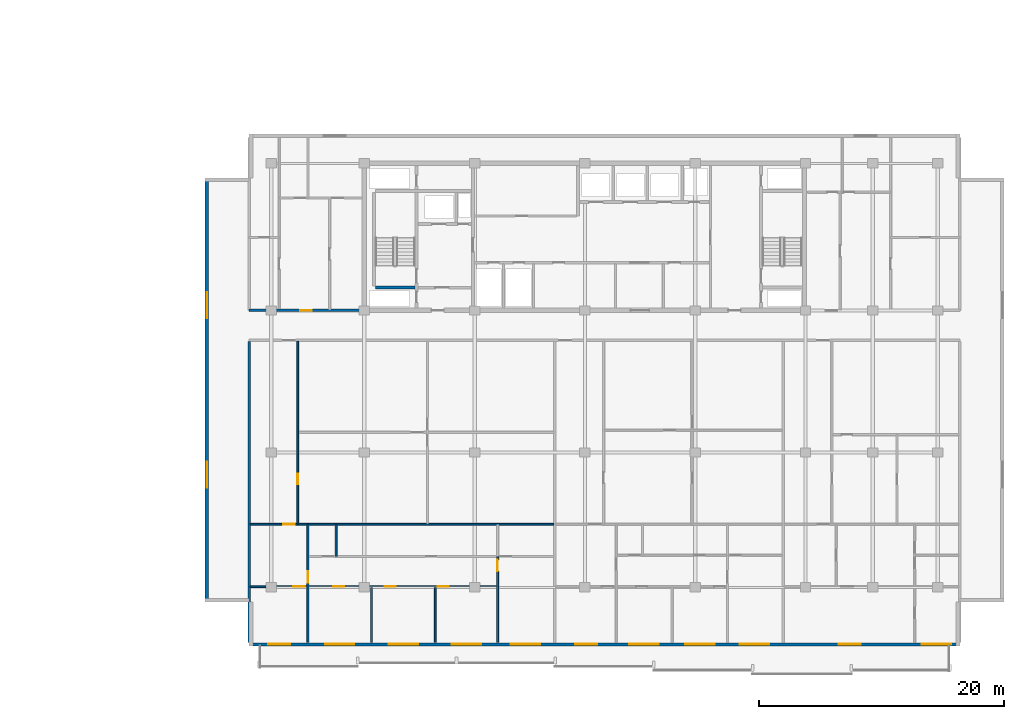
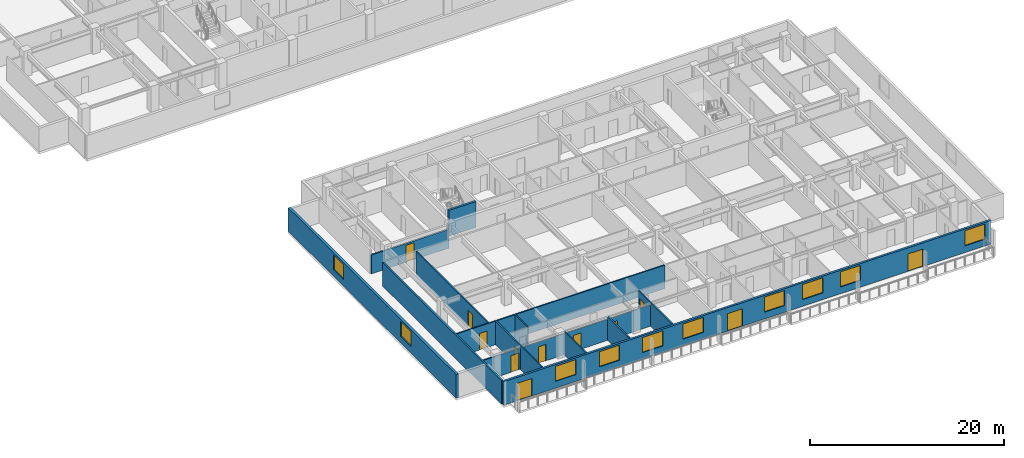
# One storey, part 4 of 22: 13 walls, 12 doors, 10 windows, 22 openings.
"""IFC4 building model written with IfcOpenShell, lengths in metres."""

from ifc_helpers import new_model, si_unit, direction, frame, frame_2d, origin, place, context, subcontext, project, spatial, rectangle, extrude, material, layer, layer_set, type_object, element, fill, save


model = new_model("IFC4")

# Units and contexts
model_context = context("Model", 3, precision=1e-05, world=origin(), true_north=direction((0.0, 1.0)))
body_context = subcontext(model_context, "Body", "Model", "MODEL_VIEW")
ifc_project = project(units=[si_unit("LENGTHUNIT", "METRE"), si_unit("AREAUNIT", "SQUARE_METRE"), si_unit("VOLUMEUNIT", "CUBIC_METRE"), si_unit("PLANEANGLEUNIT", "RADIAN"), si_unit("MASSUNIT", "GRAM", prefix="KILO")], contexts=[model_context])

# Site, building, storey
site_placement = place(None, origin())
site = spatial("IfcSite", under=ifc_project, at=site_placement, CompositionType="ELEMENT")
building_placement = place(site_placement, origin())
building = spatial("IfcBuilding", under=site, at=building_placement, Name="Korimba Cascade Residences", CompositionType="ELEMENT")
storey_placement = place(building_placement, frame((0.0, 0.0, 132.800048828125)))
storey = spatial("IfcBuildingStorey", under=building, at=storey_placement, Name="L38", CompositionType="ELEMENT", Elevation=132.800048828125)

# Wall, openings, doors, windows
ifc_material_1 = material(Name="Precast concrete C40/50", Category="concrete")
ifc_layer_1 = layer(ifc_material_1, 0.25)
ifc_layer_set_1 = layer_set([ifc_layer_1], Name="Precast concrete C40/50")
wall_type_1 = type_object("IfcWallType", Name="EW-LOG-250", PredefinedType="STANDARD", material=ifc_layer_set_1)
wall_1_placement = place(storey_placement, frame((72.699951171875, -8.85009765625, 0.0), z_axis=(0.0, 0.0, 1.0), x_axis=(1.0, 0.0, 0.0)))
wall_1 = element("IfcWall", 1, at=wall_1_placement, inside=storey, type_object=wall_type_1, Name="L38 T2 Perimeter Stone Wall E00", PredefinedType="STANDARD", context=body_context, shape_type="SweptSolid", body=[
    extrude(rectangle(XDim=58.0, YDim=0.25, at=frame_2d((29.0, 0.0))), origin(), (0.0, 0.0, 1.0), 2.969970703125),
])
opening_1_placement = place(wall_1_placement, frame((6.18994140625, 0.0, 0.85009765625)))
opening_1 = element("IfcOpeningElement", 2, at=opening_1_placement, cuts=wall_1, Name="Opening W-01", PredefinedType="OPENING", context=body_context, shape_type="SweptSolid", body=[
    extrude(rectangle(XDim=2.39990234375, YDim=1.89990234375, at=frame_2d((1.199951171875, 0.949951171875))), frame((0.0, 0.135009765625, 0.0), z_axis=(0.0, -1.0, 0.0), x_axis=(1.0, 0.0, 0.0)), (0.0, 0.0, 1.0), 0.27001953125),
])
opening_2_placement = place(wall_1_placement, frame((11.389892578125, 0.0, 0.85009765625)))
opening_2 = element("IfcOpeningElement", 3, at=opening_2_placement, cuts=wall_1, Name="Opening W-01", PredefinedType="OPENING", context=body_context, shape_type="SweptSolid", body=[
    extrude(rectangle(XDim=2.39990234375, YDim=1.89990234375, at=frame_2d((1.199951171875, 0.949951171875))), frame((0.0, 0.135009765625, 0.0), z_axis=(0.0, -1.0, 0.0), x_axis=(1.0, 0.0, 0.0)), (0.0, 0.0, 1.0), 0.27001953125),
])
opening_3_placement = place(wall_1_placement, frame((16.534912109375, 0.0, 0.85009765625)))
opening_3 = element("IfcOpeningElement", 4, at=opening_3_placement, cuts=wall_1, Name="Opening W-01", PredefinedType="OPENING", context=body_context, shape_type="SweptSolid", body=[
    extrude(rectangle(XDim=2.39990234375, YDim=1.89990234375, at=frame_2d((1.199951171875, 0.949951171875))), frame((0.0, 0.135009765625, 0.0), z_axis=(0.0, -1.0, 0.0), x_axis=(1.0, 0.0, 0.0)), (0.0, 0.0, 1.0), 0.27001953125),
])
opening_4_placement = place(wall_1_placement, frame((1.554931640625, 0.0, 0.0)))
opening_4 = element("IfcOpeningElement", 5, at=opening_4_placement, cuts=wall_1, Name="Opening D-LG1", PredefinedType="OPENING", context=body_context, shape_type="SweptSolid", body=[
    extrude(rectangle(XDim=1.800048828125, YDim=2.199951171875, at=frame_2d((0.89990234375, 1.10009765625))), frame((0.0, 0.135009765625, 0.0), z_axis=(0.0, -1.0, 0.0), x_axis=(1.0, 0.0, 0.0)), (0.0, 0.0, 1.0), 0.27001953125),
])
opening_5_placement = place(wall_1_placement, frame((21.357177734375, 0.0, 0.85009765625)))
opening_5 = element("IfcOpeningElement", 6, at=opening_5_placement, cuts=wall_1, Name="Opening W-01", PredefinedType="OPENING", context=body_context, shape_type="SweptSolid", body=[
    extrude(rectangle(XDim=2.39990234375, YDim=1.89990234375, at=frame_2d((1.199951171875, 0.949951171875))), frame((0.0, 0.135009765625, 0.0), z_axis=(0.0, -1.0, 0.0), x_axis=(1.0, 0.0, 0.0)), (0.0, 0.0, 1.0), 0.27001953125),
])
opening_6_placement = place(wall_1_placement, frame((31.037353515625, 0.0, 0.85009765625)))
opening_6 = element("IfcOpeningElement", 7, at=opening_6_placement, cuts=wall_1, Name="Opening W-01", PredefinedType="OPENING", context=body_context, shape_type="SweptSolid", body=[
    extrude(rectangle(XDim=2.39990234375, YDim=1.89990234375, at=frame_2d((1.199951171875, 0.949951171875))), frame((0.0, 0.135009765625, 0.0), z_axis=(0.0, -1.0, 0.0), x_axis=(1.0, 0.0, 0.0)), (0.0, 0.0, 1.0), 0.27001953125),
])
opening_7_placement = place(wall_1_placement, frame((35.578125, 0.0, 0.85009765625)))
opening_7 = element("IfcOpeningElement", 8, at=opening_7_placement, cuts=wall_1, Name="Opening W-01", PredefinedType="OPENING", context=body_context, shape_type="SweptSolid", body=[
    extrude(rectangle(XDim=2.39990234375, YDim=1.89990234375, at=frame_2d((1.199951171875, 0.949951171875))), frame((0.0, 0.135009765625, 0.0), z_axis=(0.0, -1.0, 0.0), x_axis=(1.0, 0.0, 0.0)), (0.0, 0.0, 1.0), 0.27001953125),
])
opening_8_placement = place(wall_1_placement, frame((26.614501953125, 0.0, 0.0)))
opening_8 = element("IfcOpeningElement", 9, at=opening_8_placement, cuts=wall_1, Name="Opening D-LG1", PredefinedType="OPENING", context=body_context, shape_type="SweptSolid", body=[
    extrude(rectangle(XDim=1.800048828125, YDim=2.199951171875, at=frame_2d((0.89990234375, 1.10009765625))), frame((0.0, 0.135009765625, 0.0), z_axis=(0.0, -1.0, 0.0), x_axis=(1.0, 0.0, 0.0)), (0.0, 0.0, 1.0), 0.27001953125),
])
opening_9_placement = place(wall_1_placement, frame((40.05126953125, 0.0, 0.85009765625)))
opening_9 = element("IfcOpeningElement", 10, at=opening_9_placement, cuts=wall_1, Name="Opening W-01", PredefinedType="OPENING", context=body_context, shape_type="SweptSolid", body=[
    extrude(rectangle(XDim=2.39990234375, YDim=1.89990234375, at=frame_2d((1.199951171875, 0.949951171875))), frame((0.0, 0.135009765625, 0.0), z_axis=(0.0, -1.0, 0.0), x_axis=(1.0, 0.0, 0.0)), (0.0, 0.0, 1.0), 0.27001953125),
])
opening_10_placement = place(wall_1_placement, frame((48.113037109375, 0.0, 0.0)))
opening_10 = element("IfcOpeningElement", 11, at=opening_10_placement, cuts=wall_1, Name="Opening D-LG1", PredefinedType="OPENING", context=body_context, shape_type="SweptSolid", body=[
    extrude(rectangle(XDim=1.800048828125, YDim=2.199951171875, at=frame_2d((0.89990234375, 1.10009765625))), frame((0.0, 0.135009765625, 0.0), z_axis=(0.0, -1.0, 0.0), x_axis=(1.0, 0.0, 0.0)), (0.0, 0.0, 1.0), 0.27001953125),
])
opening_11_placement = place(wall_1_placement, frame((54.89990234375, 0.0, 0.85009765625)))
opening_11 = element("IfcOpeningElement", 12, at=opening_11_placement, cuts=wall_1, Name="Opening W-01", PredefinedType="OPENING", context=body_context, shape_type="SweptSolid", body=[
    extrude(rectangle(XDim=2.39990234375, YDim=1.89990234375, at=frame_2d((1.199951171875, 0.949951171875))), frame((0.0, 0.135009765625, 0.0), z_axis=(0.0, -1.0, 0.0), x_axis=(1.0, 0.0, 0.0)), (0.0, 0.0, 1.0), 0.27001953125),
])
ifc_material_2 = material(Name="Glazed Aluminium Loggia Sliding Door", Category="aluminium")
door_type_1 = type_object("IfcDoorType", Name="DR-EXT-LOG", OperationType="NOTDEFINED", PredefinedType="DOOR", material=ifc_material_2)
door_1_placement = place(opening_4_placement, origin())
door_1 = element("IfcDoor", 13, at=door_1_placement, inside=storey, type_object=door_type_1, Name="L38 T2 Loggia Sliding Door 6", OperationType="SLIDING_TO_RIGHT", OverallHeight=2.199951171875, OverallWidth=1.800048828125, PredefinedType="DOOR", context=body_context, shape_type="SweptSolid", body=[
    extrude(rectangle(XDim=1.800048828125, YDim=2.199951171875, at=frame_2d((0.89990234375, 1.10009765625))), frame((0.0, 0.02490234375, 0.0), z_axis=(0.0, -1.0, 0.0), x_axis=(1.0, 0.0, 0.0)), (0.0, 0.0, 1.0), 0.050048828125),
])
fill(opening_4, door_1)
door_2_placement = place(opening_8_placement, origin())
door_2 = element("IfcDoor", 14, at=door_2_placement, inside=storey, type_object=door_type_1, Name="L38 T2 Loggia Sliding Door 10", OperationType="SLIDING_TO_RIGHT", OverallHeight=2.199951171875, OverallWidth=1.800048828125, PredefinedType="DOOR", context=body_context, shape_type="SweptSolid", body=[
    extrude(rectangle(XDim=1.800048828125, YDim=2.199951171875, at=frame_2d((0.89990234375, 1.10009765625))), frame((0.0, 0.02490234375, 0.0), z_axis=(0.0, -1.0, 0.0), x_axis=(1.0, 0.0, 0.0)), (0.0, 0.0, 1.0), 0.050048828125),
])
fill(opening_8, door_2)
door_3_placement = place(opening_10_placement, origin())
door_3 = element("IfcDoor", 15, at=door_3_placement, inside=storey, type_object=door_type_1, Name="L38 T2 Loggia Sliding Door 12", OperationType="SLIDING_TO_RIGHT", OverallHeight=2.199951171875, OverallWidth=1.800048828125, PredefinedType="DOOR", context=body_context, shape_type="SweptSolid", body=[
    extrude(rectangle(XDim=1.800048828125, YDim=2.199951171875, at=frame_2d((0.89990234375, 1.10009765625))), frame((0.0, 0.02490234375, 0.0), z_axis=(0.0, -1.0, 0.0), x_axis=(1.0, 0.0, 0.0)), (0.0, 0.0, 1.0), 0.050048828125),
])
fill(opening_10, door_3)
ifc_material_3 = material(Name="Double-Glazed Aluminium Window", Category="aluminium")
window_type_1 = type_object("IfcWindowType", Name="WIN-RES-2400", PartitioningType="DOUBLE_PANEL_VERTICAL", PredefinedType="WINDOW", material=ifc_material_3)
window_1_placement = place(opening_1_placement, origin())
window_1 = element("IfcWindow", 16, at=window_1_placement, inside=storey, type_object=window_type_1, Name="L38 T2 South Facade Window 3", OverallHeight=1.89990234375, OverallWidth=2.39990234375, PartitioningType="DOUBLE_PANEL_VERTICAL", PredefinedType="WINDOW", context=body_context, shape_type="SweptSolid", body=[
    extrude(rectangle(XDim=2.39990234375, YDim=1.89990234375, at=frame_2d((1.199951171875, 0.949951171875))), frame((0.0, 0.030029296875, 0.0), z_axis=(0.0, -1.0, 0.0), x_axis=(1.0, 0.0, 0.0)), (0.0, 0.0, 1.0), 0.06005859375),
])
fill(opening_1, window_1)
window_2_placement = place(opening_2_placement, origin())
window_2 = element("IfcWindow", 17, at=window_2_placement, inside=storey, type_object=window_type_1, Name="L38 T2 South Facade Window 4", OverallHeight=1.89990234375, OverallWidth=2.39990234375, PartitioningType="DOUBLE_PANEL_VERTICAL", PredefinedType="WINDOW", context=body_context, shape_type="SweptSolid", body=[
    extrude(rectangle(XDim=2.39990234375, YDim=1.89990234375, at=frame_2d((1.199951171875, 0.949951171875))), frame((0.0, 0.030029296875, 0.0), z_axis=(0.0, -1.0, 0.0), x_axis=(1.0, 0.0, 0.0)), (0.0, 0.0, 1.0), 0.06005859375),
])
fill(opening_2, window_2)
window_3_placement = place(opening_3_placement, origin())
window_3 = element("IfcWindow", 18, at=window_3_placement, inside=storey, type_object=window_type_1, Name="L38 T2 South Facade Window 5", OverallHeight=1.89990234375, OverallWidth=2.39990234375, PartitioningType="DOUBLE_PANEL_VERTICAL", PredefinedType="WINDOW", context=body_context, shape_type="SweptSolid", body=[
    extrude(rectangle(XDim=2.39990234375, YDim=1.89990234375, at=frame_2d((1.199951171875, 0.949951171875))), frame((0.0, 0.030029296875, 0.0), z_axis=(0.0, -1.0, 0.0), x_axis=(1.0, 0.0, 0.0)), (0.0, 0.0, 1.0), 0.06005859375),
])
fill(opening_3, window_3)
window_4_placement = place(opening_5_placement, origin())
window_4 = element("IfcWindow", 19, at=window_4_placement, inside=storey, type_object=window_type_1, Name="L38 T2 South Facade Window 7", OverallHeight=1.89990234375, OverallWidth=2.39990234375, PartitioningType="DOUBLE_PANEL_VERTICAL", PredefinedType="WINDOW", context=body_context, shape_type="SweptSolid", body=[
    extrude(rectangle(XDim=2.39990234375, YDim=1.89990234375, at=frame_2d((1.199951171875, 0.949951171875))), frame((0.0, 0.030029296875, 0.0), z_axis=(0.0, -1.0, 0.0), x_axis=(1.0, 0.0, 0.0)), (0.0, 0.0, 1.0), 0.06005859375),
])
fill(opening_5, window_4)
window_5_placement = place(opening_6_placement, origin())
window_5 = element("IfcWindow", 20, at=window_5_placement, inside=storey, type_object=window_type_1, Name="L38 T2 South Facade Window 8", OverallHeight=1.89990234375, OverallWidth=2.39990234375, PartitioningType="DOUBLE_PANEL_VERTICAL", PredefinedType="WINDOW", context=body_context, shape_type="SweptSolid", body=[
    extrude(rectangle(XDim=2.39990234375, YDim=1.89990234375, at=frame_2d((1.199951171875, 0.949951171875))), frame((0.0, 0.030029296875, 0.0), z_axis=(0.0, -1.0, 0.0), x_axis=(1.0, 0.0, 0.0)), (0.0, 0.0, 1.0), 0.06005859375),
])
fill(opening_6, window_5)
window_6_placement = place(opening_7_placement, origin())
window_6 = element("IfcWindow", 21, at=window_6_placement, inside=storey, type_object=window_type_1, Name="L38 T2 South Facade Window 9", OverallHeight=1.89990234375, OverallWidth=2.39990234375, PartitioningType="DOUBLE_PANEL_VERTICAL", PredefinedType="WINDOW", context=body_context, shape_type="SweptSolid", body=[
    extrude(rectangle(XDim=2.39990234375, YDim=1.89990234375, at=frame_2d((1.199951171875, 0.949951171875))), frame((0.0, 0.030029296875, 0.0), z_axis=(0.0, -1.0, 0.0), x_axis=(1.0, 0.0, 0.0)), (0.0, 0.0, 1.0), 0.06005859375),
])
fill(opening_7, window_6)
window_7_placement = place(opening_9_placement, origin())
window_7 = element("IfcWindow", 22, at=window_7_placement, inside=storey, type_object=window_type_1, Name="L38 T2 South Facade Window 11", OverallHeight=1.89990234375, OverallWidth=2.39990234375, PartitioningType="DOUBLE_PANEL_VERTICAL", PredefinedType="WINDOW", context=body_context, shape_type="SweptSolid", body=[
    extrude(rectangle(XDim=2.39990234375, YDim=1.89990234375, at=frame_2d((1.199951171875, 0.949951171875))), frame((0.0, 0.030029296875, 0.0), z_axis=(0.0, -1.0, 0.0), x_axis=(1.0, 0.0, 0.0)), (0.0, 0.0, 1.0), 0.06005859375),
])
fill(opening_9, window_7)
window_8_placement = place(opening_11_placement, origin())
window_8 = element("IfcWindow", 23, at=window_8_placement, inside=storey, type_object=window_type_1, Name="L38 T2 South Facade Window 13", OverallHeight=1.89990234375, OverallWidth=2.39990234375, PartitioningType="DOUBLE_PANEL_VERTICAL", PredefinedType="WINDOW", context=body_context, shape_type="SweptSolid", body=[
    extrude(rectangle(XDim=2.39990234375, YDim=1.89990234375, at=frame_2d((1.199951171875, 0.949951171875))), frame((0.0, 0.030029296875, 0.0), z_axis=(0.0, -1.0, 0.0), x_axis=(1.0, 0.0, 0.0)), (0.0, 0.0, 1.0), 0.06005859375),
])
fill(opening_11, window_8)

# Wall, openings, windows
ifc_layer_2 = layer(ifc_material_1, 0.300048828125)
ifc_layer_set_2 = layer_set([ifc_layer_2], Name="Precast concrete C40/50")
wall_type_2 = type_object("IfcWallType", Name="EW-STONE-300", PredefinedType="STANDARD", material=ifc_layer_set_2)
wall_2_placement = place(storey_placement, frame((69.25, 29.199951171875, 0.0), z_axis=(0.0, 0.0, 1.0), x_axis=(0.0, -1.0, 0.0)))
wall_2 = element("IfcWall", 24, at=wall_2_placement, inside=storey, type_object=wall_type_2, Name="L38 T2 Perimeter Stone Wall E09", PredefinedType="STANDARD", context=body_context, shape_type="SweptSolid", body=[
    extrude(rectangle(XDim=34.599853515625, YDim=0.300048828125, at=frame_2d((17.2998046875, 0.0))), origin(), (0.0, 0.0, 1.0), 2.969970703125),
])
opening_12_placement = place(wall_2_placement, frame((9.330078125, 0.0, 0.85009765625)))
opening_12 = element("IfcOpeningElement", 25, at=opening_12_placement, cuts=wall_2, Name="Opening W-03", PredefinedType="OPENING", context=body_context, shape_type="SweptSolid", body=[
    extrude(rectangle(XDim=2.10009765625, YDim=1.85009765625, at=frame_2d((1.050048828125, 0.925048828125))), frame((0.0, 0.16015625, 0.0), z_axis=(0.0, -1.0, 0.0), x_axis=(1.0, 0.0, 0.0)), (0.0, 0.0, 1.0), 0.320068359375),
])
opening_13_placement = place(wall_2_placement, frame((23.169921875, 0.0, 0.85009765625)))
opening_13 = element("IfcOpeningElement", 26, at=opening_13_placement, cuts=wall_2, Name="Opening W-03", PredefinedType="OPENING", context=body_context, shape_type="SweptSolid", body=[
    extrude(rectangle(XDim=2.10009765625, YDim=1.85009765625, at=frame_2d((1.050048828125, 0.925048828125))), frame((0.0, 0.16015625, 0.0), z_axis=(0.0, -1.0, 0.0), x_axis=(1.0, 0.0, 0.0)), (0.0, 0.0, 1.0), 0.320068359375),
])
window_type_2 = type_object("IfcWindowType", Name="WIN-CRN-2100", PartitioningType="DOUBLE_PANEL_HORIZONTAL", PredefinedType="WINDOW", material=ifc_material_3)
window_9_placement = place(opening_12_placement, origin())
window_9 = element("IfcWindow", 27, at=window_9_placement, inside=storey, type_object=window_type_2, Name="L38 T2 End View Window 9.1", OverallHeight=1.85009765625, OverallWidth=2.10009765625, PartitioningType="DOUBLE_PANEL_HORIZONTAL", PredefinedType="WINDOW", context=body_context, shape_type="SweptSolid", body=[
    extrude(rectangle(XDim=2.10009765625, YDim=1.85009765625, at=frame_2d((1.050048828125, 0.925048828125))), frame((0.0, 0.030029296875, 0.0), z_axis=(0.0, -1.0, 0.0), x_axis=(1.0, 0.0, 0.0)), (0.0, 0.0, 1.0), 0.06005859375),
])
fill(opening_12, window_9)
window_10_placement = place(opening_13_placement, origin())
window_10 = element("IfcWindow", 28, at=window_10_placement, inside=storey, type_object=window_type_2, Name="L38 T2 End View Window 9.2", OverallHeight=1.85009765625, OverallWidth=2.10009765625, PartitioningType="DOUBLE_PANEL_HORIZONTAL", PredefinedType="WINDOW", context=body_context, shape_type="SweptSolid", body=[
    extrude(rectangle(XDim=2.10009765625, YDim=1.85009765625, at=frame_2d((1.050048828125, 0.925048828125))), frame((0.0, 0.030029296875, 0.0), z_axis=(0.0, -1.0, 0.0), x_axis=(1.0, 0.0, 0.0)), (0.0, 0.0, 1.0), 0.06005859375),
])
fill(opening_13, window_10)

# Wall, opening, door
ifc_layer_3 = layer(ifc_material_1, 0.199951171875)
ifc_layer_set_3 = layer_set([ifc_layer_3], Name="Precast concrete C40/50")
wall_type_3 = type_object("IfcWallType", Name="WAL-IT-200", PredefinedType="PARTITIONING", material=ifc_layer_set_3)
wall_3_placement = place(storey_placement, frame((72.699951171875, 18.39990234375, 0.0), z_axis=(0.0, 0.0, 1.0), x_axis=(1.0, 0.0, 0.0)))
wall_3 = element("IfcWall", 29, at=wall_3_placement, inside=storey, type_object=wall_type_3, Name="L38 Partition Wall WAL-L38-T2-FW-S", PredefinedType="PARTITIONING", context=body_context, shape_type="SweptSolid", body=[
    extrude(rectangle(XDim=9.25, YDim=0.199951171875, at=frame_2d((4.625, 0.0))), origin(), (0.0, 0.0, 1.0), 2.357666015625),
])
opening_14_placement = place(wall_3_placement, frame((4.14990234375, 0.0, 0.0)))
opening_14 = element("IfcOpeningElement", 30, at=opening_14_placement, cuts=wall_3, Name="Opening D-UN1", PredefinedType="OPENING", context=body_context, shape_type="SweptSolid", body=[
    extrude(rectangle(XDim=0.949951171875, YDim=2.14990234375, at=frame_2d((0.47509765625, 1.074951171875))), frame((0.0, 0.10986328125, 0.0), z_axis=(0.0, -1.0, 0.0), x_axis=(1.0, 0.0, 0.0)), (0.0, 0.0, 1.0), 0.219970703125),
])
ifc_material_4 = material(Name="Fire-Rated Hardwood Apartment Entrance Door", Category="wood")
door_type_2 = type_object("IfcDoorType", Name="DR-FD60-950", OperationType="NOTDEFINED", PredefinedType="DOOR", material=ifc_material_4)
door_4_placement = place(opening_14_placement, origin())
door_4 = element("IfcDoor", 31, at=door_4_placement, inside=storey, type_object=door_type_2, Name="L38-T2-FW Entrance Door", OperationType="SINGLE_SWING_LEFT", OverallHeight=2.14990234375, OverallWidth=0.949951171875, PredefinedType="DOOR", context=body_context, shape_type="SweptSolid", body=[
    extrude(rectangle(XDim=0.949951171875, YDim=2.14990234375, at=frame_2d((0.47509765625, 1.074951171875))), frame((0.0, 0.02490234375, 0.0), z_axis=(0.0, -1.0, 0.0), x_axis=(1.0, 0.0, 0.0)), (0.0, 0.0, 1.0), 0.050048828125),
])
fill(opening_14, door_4)

# Wall
wall_4_placement = place(storey_placement, frame((72.699951171875, -8.699951171875, 0.0), z_axis=(0.0, 0.0, 1.0), x_axis=(0.0, 1.0, 0.0)))
element("IfcWall", 32, at=wall_4_placement, inside=storey, type_object=wall_type_3, Name="L38 Partition Wall WAL-L38-T2-BNDWL", PredefinedType="PARTITIONING", context=body_context, shape_type="SweptSolid", body=[
    extrude(rectangle(XDim=24.570068359375, YDim=0.199951171875, at=frame_2d((12.28515625, 0.0))), origin(), (0.0, 0.0, 1.0), 2.969970703125),
])

# Wall, opening, door
ifc_material_5 = material(Name="Insulated Acoustic Stud Partition", Category="gypsum")
ifc_layer_4 = layer(ifc_material_5, 0.14990234375)
ifc_layer_set_4 = layer_set([ifc_layer_4], Name="Insulated Acoustic Stud Partition")
wall_type_4 = type_object("IfcWallType", Name="WAL-PART-150", PredefinedType="PARTITIONING", material=ifc_layer_set_4)
wall_5_placement = place(storey_placement, frame((76.669921875, 0.989990234375, 0.0), z_axis=(0.0, 0.0, 1.0), x_axis=(0.0, 1.0, 0.0)))
wall_5 = element("IfcWall", 33, at=wall_5_placement, inside=storey, type_object=wall_type_4, Name="L38 Partition Wall WAL-L38-T2-U01-FV", PredefinedType="PARTITIONING", context=body_context, shape_type="SweptSolid", body=[
    extrude(rectangle(XDim=14.89990234375, YDim=0.14990234375, at=frame_2d((7.449951171875, 0.0))), origin(), (0.0, 0.0, 1.0), 2.969970703125),
])
opening_15_placement = place(wall_5_placement, frame((3.215576171875, 0.0, 0.0)))
opening_15 = element("IfcOpeningElement", 34, at=opening_15_placement, cuts=wall_5, Name="Opening D-IN2", PredefinedType="OPENING", context=body_context, shape_type="SweptSolid", body=[
    extrude(rectangle(XDim=0.8798828125, YDim=2.06005859375, at=frame_2d((0.43994140625, 1.030029296875))), frame((0.0, 0.0849609375, 0.0), z_axis=(0.0, -1.0, 0.0), x_axis=(1.0, 0.0, 0.0)), (0.0, 0.0, 1.0), 0.169921875),
])
ifc_material_6 = material(Name="Acoustic Timber Bedroom Door", Category="wood")
door_type_3 = type_object("IfcDoorType", Name="DR-INT-880", OperationType="NOTDEFINED", PredefinedType="DOOR", material=ifc_material_6)
door_5_placement = place(opening_15_placement, origin())
door_5 = element("IfcDoor", 35, at=door_5_placement, inside=storey, type_object=door_type_3, Name="L38-T2-U01 Media Lounge Door", OperationType="SINGLE_SWING_LEFT", OverallHeight=2.06005859375, OverallWidth=0.8798828125, PredefinedType="DOOR", context=body_context, shape_type="SweptSolid", body=[
    extrude(rectangle(XDim=0.8798828125, YDim=2.06005859375, at=frame_2d((0.43994140625, 1.030029296875))), frame((0.0, 0.02490234375, 0.0), z_axis=(0.0, -1.0, 0.0), x_axis=(1.0, 0.0, 0.0)), (0.0, 0.0, 1.0), 0.050048828125),
])
fill(opening_15, door_5)

# Walls
wall_6_placement = place(storey_placement, frame((79.800048828125, -1.669921875, 0.0), z_axis=(0.0, 0.0, 1.0), x_axis=(0.0, 1.0, 0.0)))
element("IfcWall", 36, at=wall_6_placement, inside=storey, type_object=wall_type_4, Name="L38 Partition Wall WAL-L38-T2-U01-VDRS", PredefinedType="PARTITIONING", context=body_context, shape_type="SweptSolid", body=[
    extrude(rectangle(XDim=2.579833984375, YDim=0.14990234375, at=frame_2d((1.2900390625, 0.0))), origin(), (0.0, 0.0, 1.0), 2.969970703125),
])
for number, where, z_axis, x_axis, name in (
    (37, (82.68994140625, -8.699951171875, 0.0), (0.0, 0.0, 1.0), (0.0, 1.0, 0.0), "L38 Partition Wall WAL-L38-T2-U01-VB2"),
    (38, (87.889892578125, -8.699951171875, 0.0), (0.0, 0.0, 1.0), (0.0, 1.0, 0.0), "L38 Partition Wall WAL-L38-T2-U01-VB3"),
):
    element("IfcWall", number, at=place(storey_placement, frame(where, z_axis=z_axis, x_axis=x_axis)), inside=storey, type_object=wall_type_4, Name=name, PredefinedType="PARTITIONING", context=body_context, shape_type="SweptSolid", body=[
        extrude(rectangle(XDim=4.469970703125, YDim=0.14990234375, at=frame_2d((2.23486328125, 0.0))), origin(), (0.0, 0.0, 1.0), 2.969970703125),
    ])

# Wall, opening, door
wall_7_placement = place(storey_placement, frame((77.489990234375, -8.699951171875, 0.0), z_axis=(0.0, 0.0, 1.0), x_axis=(0.0, 1.0, 0.0)))
wall_7 = element("IfcWall", 39, at=wall_7_placement, inside=storey, type_object=wall_type_4, Name="L38 Partition Wall WAL-L38-T2-U01-V1", PredefinedType="PARTITIONING", context=body_context, shape_type="SweptSolid", body=[
    extrude(rectangle(XDim=9.60986328125, YDim=0.14990234375, at=frame_2d((4.804931640625, 0.0))), origin(), (0.0, 0.0, 1.0), 2.969970703125),
])
opening_16_placement = place(wall_7_placement, frame((4.8701171875, 0.0, 0.0)))
opening_16 = element("IfcOpeningElement", 40, at=opening_16_placement, cuts=wall_7, Name="Opening D-IN1", PredefinedType="OPENING", context=body_context, shape_type="SweptSolid", body=[
    extrude(rectangle(XDim=0.919921875, YDim=2.080078125, at=frame_2d((0.4599609375, 1.0400390625))), frame((0.0, 0.0849609375, 0.0), z_axis=(0.0, -1.0, 0.0), x_axis=(1.0, 0.0, 0.0)), (0.0, 0.0, 1.0), 0.169921875),
])
ifc_material_7 = material(Name="Acoustic Timber Living Door", Category="wood")
door_type_4 = type_object("IfcDoorType", Name="DR-INT-920", OperationType="NOTDEFINED", PredefinedType="DOOR", material=ifc_material_7)
door_6_placement = place(opening_16_placement, origin())
door_6 = element("IfcDoor", 41, at=door_6_placement, inside=storey, type_object=door_type_4, Name="L38-T2-U01 Hallway Door", OperationType="SINGLE_SWING_RIGHT", OverallHeight=2.080078125, OverallWidth=0.919921875, PredefinedType="DOOR", context=body_context, shape_type="SweptSolid", body=[
    extrude(rectangle(XDim=0.919921875, YDim=2.080078125, at=frame_2d((0.4599609375, 1.0400390625))), frame((0.0, 0.02490234375, 0.0), z_axis=(0.0, -1.0, 0.0), x_axis=(1.0, 0.0, 0.0)), (0.0, 0.0, 1.0), 0.050048828125),
])
fill(opening_16, door_6)

wall_8_placement = place(storey_placement, frame((92.97998046875, -8.699951171875, 0.0), z_axis=(0.0, 0.0, 1.0), x_axis=(0.0, 1.0, 0.0)))
wall_8 = element("IfcWall", 42, at=wall_8_placement, inside=storey, type_object=wall_type_4, Name="L38 Partition Wall WAL-L38-T2-U01-V2FULL", PredefinedType="PARTITIONING", context=body_context, shape_type="SweptSolid", body=[
    extrude(rectangle(XDim=6.989990234375, YDim=0.14990234375, at=frame_2d((3.4951171875, 0.0))), origin(), (0.0, 0.0, 1.0), 2.969970703125),
])
opening_17_placement = place(wall_8_placement, frame((5.81005859375, 0.0, 0.0)))
opening_17 = element("IfcOpeningElement", 43, at=opening_17_placement, cuts=wall_8, Name="Opening D-IN1", PredefinedType="OPENING", context=body_context, shape_type="SweptSolid", body=[
    extrude(rectangle(XDim=0.919921875, YDim=2.080078125, at=frame_2d((0.4599609375, 1.0400390625))), frame((0.0, 0.0849609375, 0.0), z_axis=(0.0, -1.0, 0.0), x_axis=(1.0, 0.0, 0.0)), (0.0, 0.0, 1.0), 0.169921875),
])
door_7_placement = place(opening_17_placement, origin())
door_7 = element("IfcDoor", 44, at=door_7_placement, inside=storey, type_object=door_type_4, Name="L38-T2-U01 Master Bedroom Door", OperationType="SINGLE_SWING_LEFT", OverallHeight=2.080078125, OverallWidth=0.919921875, PredefinedType="DOOR", context=body_context, shape_type="SweptSolid", body=[
    extrude(rectangle(XDim=0.919921875, YDim=2.080078125, at=frame_2d((0.4599609375, 1.0400390625))), frame((0.0, 0.02490234375, 0.0), z_axis=(0.0, -1.0, 0.0), x_axis=(1.0, 0.0, 0.0)), (0.0, 0.0, 1.0), 0.050048828125),
])
fill(opening_17, door_7)

wall_9_placement = place(storey_placement, frame((72.780029296875, 0.949951171875, 0.0), z_axis=(0.0, 0.0, 1.0), x_axis=(1.0, 0.0, 0.0)))
wall_9 = element("IfcWall", 45, at=wall_9_placement, inside=storey, type_object=wall_type_4, Name="L38 Partition Wall WAL-L38-T2-U01-MW", PredefinedType="PARTITIONING", context=body_context, shape_type="SweptSolid", body=[
    extrude(rectangle(XDim=24.79443359375, YDim=0.14990234375, at=frame_2d((12.397216796875, 0.0))), origin(), (0.0, 0.0, 1.0), 2.969970703125),
])
opening_18_placement = place(wall_9_placement, frame((2.719970703125, 0.0, 0.0)))
opening_18 = element("IfcOpeningElement", 46, at=opening_18_placement, cuts=wall_9, Name="Opening D-IN1", PredefinedType="OPENING", context=body_context, shape_type="SweptSolid", body=[
    extrude(rectangle(XDim=0.919921875, YDim=2.080078125, at=frame_2d((0.4599609375, 1.0400390625))), frame((0.0, 0.0849609375, 0.0), z_axis=(0.0, -1.0, 0.0), x_axis=(1.0, 0.0, 0.0)), (0.0, 0.0, 1.0), 0.169921875),
])
door_8_placement = place(opening_18_placement, origin())
door_8 = element("IfcDoor", 47, at=door_8_placement, inside=storey, type_object=door_type_4, Name="L38-T2-U01 Kitchen Door", OperationType="SINGLE_SWING_LEFT", OverallHeight=2.080078125, OverallWidth=0.919921875, PredefinedType="DOOR", context=body_context, shape_type="SweptSolid", body=[
    extrude(rectangle(XDim=0.919921875, YDim=2.080078125, at=frame_2d((0.4599609375, 1.0400390625))), frame((0.0, 0.02490234375, 0.0), z_axis=(0.0, -1.0, 0.0), x_axis=(1.0, 0.0, 0.0)), (0.0, 0.0, 1.0), 0.050048828125),
])
fill(opening_18, door_8)

# Wall, openings, doors
wall_10_placement = place(storey_placement, frame((72.780029296875, -4.14990234375, 0.0), z_axis=(0.0, 0.0, 1.0), x_axis=(1.0, 0.0, 0.0)))
wall_10 = element("IfcWall", 48, at=wall_10_placement, inside=storey, type_object=wall_type_4, Name="L38 Partition Wall WAL-L38-T2-U01-HZ", PredefinedType="PARTITIONING", context=body_context, shape_type="SweptSolid", body=[
    extrude(rectangle(XDim=20.199951171875, YDim=0.14990234375, at=frame_2d((10.10009765625, 0.0))), origin(), (0.0, 0.0, 1.0), 2.663330078125),
])
opening_19_placement = place(wall_10_placement, frame((3.52001953125, 0.0, 0.0)))
opening_19 = element("IfcOpeningElement", 49, at=opening_19_placement, cuts=wall_10, Name="Opening D-IN0", PredefinedType="OPENING", context=body_context, shape_type="SweptSolid", body=[
    extrude(rectangle(XDim=0.93994140625, YDim=2.10009765625, at=frame_2d((0.469970703125, 1.050048828125))), frame((0.0, 0.0849609375, 0.0), z_axis=(0.0, -1.0, 0.0), x_axis=(1.0, 0.0, 0.0)), (0.0, 0.0, 1.0), 0.169921875),
])
opening_20_placement = place(wall_10_placement, frame((6.79248046875, 0.0, 0.0)))
opening_20 = element("IfcOpeningElement", 50, at=opening_20_placement, cuts=wall_10, Name="Opening D-IN2", PredefinedType="OPENING", context=body_context, shape_type="SweptSolid", body=[
    extrude(rectangle(XDim=0.8798828125, YDim=2.06005859375, at=frame_2d((0.43994140625, 1.030029296875))), frame((0.0, 0.0849609375, 0.0), z_axis=(0.0, -1.0, 0.0), x_axis=(1.0, 0.0, 0.0)), (0.0, 0.0, 1.0), 0.169921875),
])
opening_21_placement = place(wall_10_placement, frame((10.983642578125, 0.0, 0.0)))
opening_21 = element("IfcOpeningElement", 51, at=opening_21_placement, cuts=wall_10, Name="Opening D-IN2", PredefinedType="OPENING", context=body_context, shape_type="SweptSolid", body=[
    extrude(rectangle(XDim=0.8798828125, YDim=2.06005859375, at=frame_2d((0.43994140625, 1.030029296875))), frame((0.0, 0.0849609375, 0.0), z_axis=(0.0, -1.0, 0.0), x_axis=(1.0, 0.0, 0.0)), (0.0, 0.0, 1.0), 0.169921875),
])
opening_22_placement = place(wall_10_placement, frame((15.330078125, 0.0, 0.0)))
opening_22 = element("IfcOpeningElement", 52, at=opening_22_placement, cuts=wall_10, Name="Opening D-IN2", PredefinedType="OPENING", context=body_context, shape_type="SweptSolid", body=[
    extrude(rectangle(XDim=0.8798828125, YDim=2.06005859375, at=frame_2d((0.43994140625, 1.030029296875))), frame((0.0, 0.0849609375, 0.0), z_axis=(0.0, -1.0, 0.0), x_axis=(1.0, 0.0, 0.0)), (0.0, 0.0, 1.0), 0.169921875),
])
door_9_placement = place(opening_20_placement, origin())
door_9 = element("IfcDoor", 53, at=door_9_placement, inside=storey, type_object=door_type_3, Name="L38-T2-U01 Bedroom 2 Door", OperationType="SINGLE_SWING_LEFT", OverallHeight=2.06005859375, OverallWidth=0.8798828125, PredefinedType="DOOR", context=body_context, shape_type="SweptSolid", body=[
    extrude(rectangle(XDim=0.8798828125, YDim=2.06005859375, at=frame_2d((0.43994140625, 1.030029296875))), frame((0.0, 0.02490234375, 0.0), z_axis=(0.0, -1.0, 0.0), x_axis=(1.0, 0.0, 0.0)), (0.0, 0.0, 1.0), 0.050048828125),
])
fill(opening_20, door_9)
door_10_placement = place(opening_21_placement, origin())
door_10 = element("IfcDoor", 54, at=door_10_placement, inside=storey, type_object=door_type_3, Name="L38-T2-U01 Bedroom 3 Door", OperationType="SINGLE_SWING_RIGHT", OverallHeight=2.06005859375, OverallWidth=0.8798828125, PredefinedType="DOOR", context=body_context, shape_type="SweptSolid", body=[
    extrude(rectangle(XDim=0.8798828125, YDim=2.06005859375, at=frame_2d((0.43994140625, 1.030029296875))), frame((0.0, 0.02490234375, 0.0), z_axis=(0.0, -1.0, 0.0), x_axis=(1.0, 0.0, 0.0)), (0.0, 0.0, 1.0), 0.050048828125),
])
fill(opening_21, door_10)
door_11_placement = place(opening_22_placement, origin())
door_11 = element("IfcDoor", 55, at=door_11_placement, inside=storey, type_object=door_type_3, Name="L38-T2-U01 Study Door", OperationType="SINGLE_SWING_LEFT", OverallHeight=2.06005859375, OverallWidth=0.8798828125, PredefinedType="DOOR", context=body_context, shape_type="SweptSolid", body=[
    extrude(rectangle(XDim=0.8798828125, YDim=2.06005859375, at=frame_2d((0.43994140625, 1.030029296875))), frame((0.0, 0.02490234375, 0.0), z_axis=(0.0, -1.0, 0.0), x_axis=(1.0, 0.0, 0.0)), (0.0, 0.0, 1.0), 0.050048828125),
])
fill(opening_22, door_11)
ifc_material_8 = material(Name="Acoustic Timber Living Archway Door", Category="wood")
door_type_5 = type_object("IfcDoorType", Name="DR-INT-950", OperationType="NOTDEFINED", PredefinedType="DOOR", material=ifc_material_8)
door_12_placement = place(opening_19_placement, origin())
door_12 = element("IfcDoor", 56, at=door_12_placement, inside=storey, type_object=door_type_5, Name="L38-T2-U01 Living Room Door", OperationType="SINGLE_SWING_RIGHT", OverallHeight=2.10009765625, OverallWidth=0.93994140625, PredefinedType="DOOR", context=body_context, shape_type="SweptSolid", body=[
    extrude(rectangle(XDim=0.93994140625, YDim=2.10009765625, at=frame_2d((0.469970703125, 1.050048828125))), frame((0.0, 0.02490234375, 0.0), z_axis=(0.0, -1.0, 0.0), x_axis=(1.0, 0.0, 0.0)), (0.0, 0.0, 1.0), 0.050048828125),
])
fill(opening_19, door_12)

# Wall
ifc_material_9 = material(Name="Concrete C50/60", Category="concrete")
ifc_layer_5 = layer(ifc_material_9, 0.25)
ifc_layer_set_5 = layer_set([ifc_layer_5], Name="Concrete C50/60")
wall_type_5 = type_object("IfcWallType", Name="WAL-SHAFT-250", PredefinedType="SHEAR", material=ifc_layer_set_5)
wall_11_placement = place(storey_placement, frame((83.0, 20.27490234375, 0.0), z_axis=(0.0, 0.0, 1.0), x_axis=(1.0, 0.0, 0.0)))
element("IfcWall", 57, at=wall_11_placement, inside=storey, type_object=wall_type_5, Name="L38 Core Shear Wall CW-L38-T2-STE1S", PredefinedType="SHEAR", context=body_context, shape_type="SweptSolid", body=[
    extrude(rectangle(XDim=3.239990234375, YDim=0.25, at=frame_2d((1.6201171875, 0.0))), origin(), (0.0, 0.0, 1.0), 3.25),
])

save(model, "model.ifc")
